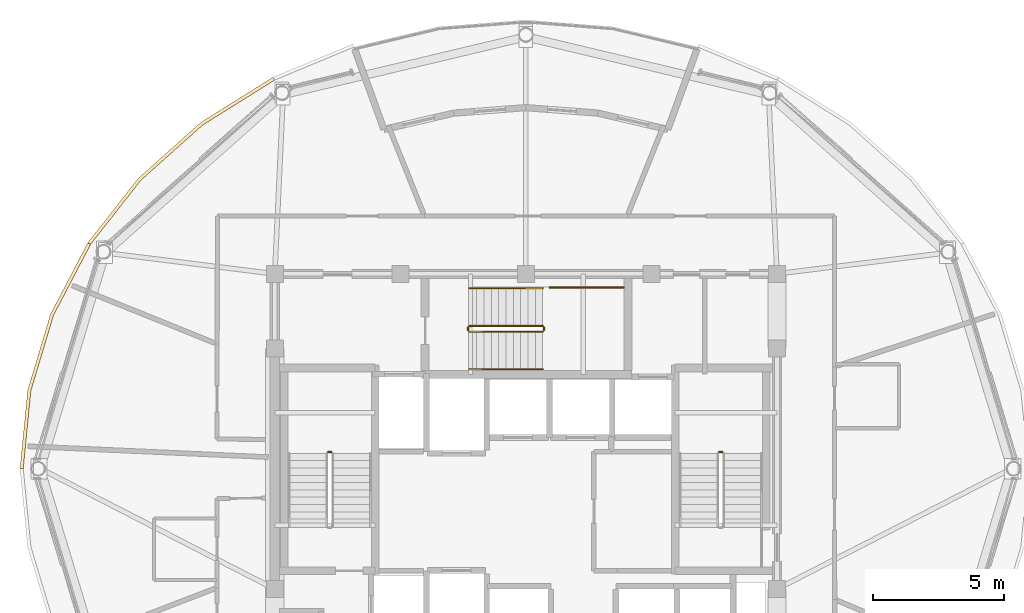
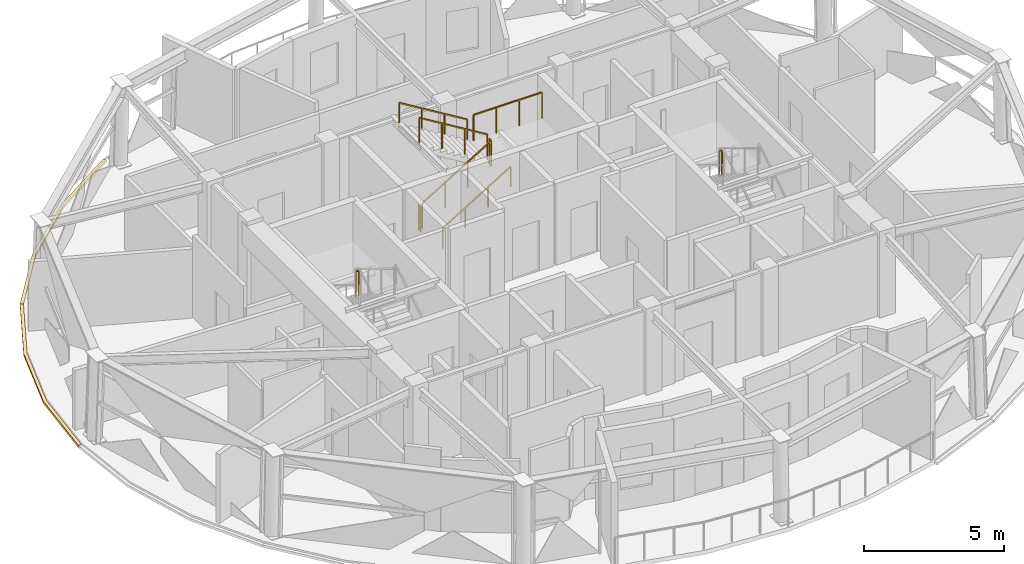
# One storey, part 12 of 13: 9 railings, 2 coverings.
"""IFC4 building model written with IfcOpenShell, lengths in metres."""

from ifc_helpers import new_model, si_unit, direction, frame, origin, origin_2d, place, context, subcontext, project, spatial, polyline, rectangle, outline, extrude, material, layer, layer_set, type_object, element, save


model = new_model("IFC4")

# Units and contexts
model_context = context("Model", 3, precision=1e-05, world=origin(), true_north=direction((0.0, 1.0)))
body_context = subcontext(model_context, "Body", "Model", "MODEL_VIEW")
ifc_project = project(units=[si_unit("LENGTHUNIT", "METRE"), si_unit("AREAUNIT", "SQUARE_METRE"), si_unit("VOLUMEUNIT", "CUBIC_METRE"), si_unit("PLANEANGLEUNIT", "RADIAN"), si_unit("MASSUNIT", "GRAM", prefix="KILO")], contexts=[model_context])

# Site, building, storey
site_placement = place(None, origin())
site = spatial("IfcSite", under=ifc_project, at=site_placement, CompositionType="ELEMENT")
building_placement = place(site_placement, origin())
building = spatial("IfcBuilding", under=site, at=building_placement, Name="Vantalir Tower", CompositionType="ELEMENT")
storey_placement = place(building_placement, frame((0.0, 0.0, 286.35009765625)))
storey = spatial("IfcBuildingStorey", under=building, at=storey_placement, Name="L72", CompositionType="ELEMENT", Elevation=286.35009765625)

# Coverings
ifc_material_1 = material(Name="Anodised champagne aluminium sill fascia", Category="aluminium")
ifc_layer = layer(ifc_material_1, 0.125)
ifc_layer_set = layer_set([ifc_layer], Name="Anodised champagne aluminium sill fascia")
covering_type = type_object("IfcCoveringType", Name="COV-SLAB-FASCIA-125", PredefinedType="CLADDING", material=ifc_layer_set)
covering_1_placement = place(storey_placement, frame((0.0, 0.0, -0.18017578125)))
element("IfcCovering", 1, at=covering_1_placement, inside=storey, type_object=covering_type, Name="L72 Perimeter Slab-Edge Sill Fascia 05", PredefinedType="CLADDING", context=body_context, shape_type="SweptSolid", body=[
    extrude(outline(polyline([(21.830078125, 39.966064453125), (19.068115234375, 38.238037109375), (16.68505859375, 36.10791015625), (14.7509765625, 33.639892578125), (14.85888671875, 33.577880859375), (16.780029296875, 36.028076171875), (19.14892578125, 38.14208984375), (21.89306640625, 39.85791015625), (21.830078125, 39.966064453125)])), origin(), (0.0, 0.0, 1.0), 0.10498046875),
])
covering_2_placement = place(storey_placement, frame((0.0, 0.0, -0.18017578125)))
element("IfcCovering", 2, at=covering_2_placement, inside=storey, type_object=covering_type, Name="L72 Perimeter Slab-Edge Sill Fascia 06", PredefinedType="CLADDING", context=body_context, shape_type="SweptSolid", body=[
    extrude(outline(polyline([(14.7509765625, 33.639892578125), (13.325927734375, 30.909912109375), (12.4541015625, 28.0009765625), (12.159912109375, 25.0), (12.284912109375, 25.0), (12.576904296875, 27.97900390625), (13.444091796875, 30.867919921875), (14.85888671875, 33.577880859375), (14.7509765625, 33.639892578125)])), origin(), (0.0, 0.0, 1.0), 0.10498046875),
])

# Railings
ifc_material_2 = material(Name="Anodised aluminium and stainless steel guard", Category="steel")
railing_type_1 = type_object("IfcRailingType", Name="RAL-GUARD-1120", PredefinedType="GUARDRAIL", material=ifc_material_2)
for number, where, name in (
    (3, (24.06005859375, 25.639892578125, 1.875), "L72 ST1 stair guard 2"),
    (4, (39.010009765625, 25.639892578125, 1.875), "L72 ST2 stair guard 2"),
):
    element("IfcRailing", number, at=place(storey_placement, frame(where)), inside=storey, type_object=railing_type_1, Name=name, PredefinedType="GUARDRAIL", context=body_context, shape_type="SweptSolid", body=[
        extrude(rectangle(XDim=0.048095703125, YDim=0.048095703125, at=origin_2d()), frame((0.0, 0.0, 1.09619140625), z_axis=(-1.0, 0.0, 0.0), x_axis=(0.0, -1.0, 0.0)), (0.0, 0.0, 1.0), 0.1201171875),
        extrude(rectangle(XDim=0.0419921875, YDim=0.0419921875, at=origin_2d()), origin(), (0.0, 0.0, 1.0), 1.072021484375),
        extrude(rectangle(XDim=0.0419921875, YDim=0.0419921875, at=origin_2d()), frame((-0.1201171875, 0.0, 0.0)), (0.0, 0.0, 1.0), 1.072021484375),
    ])
railing_1_placement = place(storey_placement, frame((29.340087890625, 30.239990234375, 0.17041015625)))
element("IfcRailing", 5, at=railing_1_placement, inside=storey, type_object=railing_type_1, Name="L72 ST3 stair guard 1", PredefinedType="GUARDRAIL", context=body_context, shape_type="SweptSolid", body=[
    extrude(rectangle(XDim=0.048095703125, YDim=0.048095703125, at=origin_2d()), frame((0.0, 0.0, 1.09619140625), z_axis=(0.854149651119, 0.0, 0.520027281489), x_axis=(0.0, 1.0, 0.0)), (0.0, 0.0, 1.0), 3.27783203125),
    extrude(rectangle(XDim=0.0419921875, YDim=0.0419921875, at=origin_2d()), origin(), (0.0, 0.0, 1.0), 1.072021484375),
    extrude(rectangle(XDim=0.0419921875, YDim=0.0419921875, at=origin_2d()), frame((0.933349609375, 0.0, 0.568115234375)), (0.0, 0.0, 1.0), 1.072021484375),
    extrude(rectangle(XDim=0.0419921875, YDim=0.0419921875, at=origin_2d()), frame((1.866455078125, 0.0, 1.136474609375)), (0.0, 0.0, 1.0), 1.072021484375),
    extrude(rectangle(XDim=0.0419921875, YDim=0.0419921875, at=origin_2d()), frame((2.7998046875, 0.0, 1.70458984375)), (0.0, 0.0, 1.0), 1.072021484375),
])
railing_2_placement = place(storey_placement, frame((32.18994140625, 30.2900390625, 1.875)))
element("IfcRailing", 6, at=railing_2_placement, inside=storey, type_object=railing_type_1, Name="L72 ST3 stair guard 2", PredefinedType="GUARDRAIL", context=body_context, shape_type="SweptSolid", body=[
    extrude(rectangle(XDim=0.048095703125, YDim=0.048095703125, at=origin_2d()), frame((0.0, 0.0, 1.09619140625), z_axis=(0.0, 1.0, 0.0), x_axis=(-1.0, 0.0, 0.0)), (0.0, 0.0, 1.0), 0.119873046875),
    extrude(rectangle(XDim=0.0419921875, YDim=0.0419921875, at=origin_2d()), origin(), (0.0, 0.0, 1.0), 1.072021484375),
    extrude(rectangle(XDim=0.0419921875, YDim=0.0419921875, at=origin_2d()), frame((0.0, 0.119873046875, 0.0)), (0.0, 0.0, 1.0), 1.072021484375),
])
railing_3_placement = place(storey_placement, frame((32.139892578125, 30.4599609375, 2.04541015625)))
element("IfcRailing", 7, at=railing_3_placement, inside=storey, type_object=railing_type_1, Name="L72 ST3 stair guard 3", PredefinedType="GUARDRAIL", context=body_context, shape_type="SweptSolid", body=[
    extrude(rectangle(XDim=0.048095703125, YDim=0.048095703125, at=origin_2d()), frame((0.0, 0.0, 1.09619140625), z_axis=(-0.854149651119, 0.0, 0.520027281489), x_axis=(0.0, -1.0, 0.0)), (0.0, 0.0, 1.0), 3.27783203125),
    extrude(rectangle(XDim=0.0419921875, YDim=0.0419921875, at=origin_2d()), origin(), (0.0, 0.0, 1.0), 1.072021484375),
    extrude(rectangle(XDim=0.0419921875, YDim=0.0419921875, at=origin_2d()), frame((-0.933349609375, 0.0, 0.568115234375)), (0.0, 0.0, 1.0), 1.072021484375),
    extrude(rectangle(XDim=0.0419921875, YDim=0.0419921875, at=origin_2d()), frame((-1.866455078125, 0.0, 1.136474609375)), (0.0, 0.0, 1.0), 1.072021484375),
    extrude(rectangle(XDim=0.0419921875, YDim=0.0419921875, at=origin_2d()), frame((-2.7998046875, 0.0, 1.70458984375)), (0.0, 0.0, 1.0), 1.072021484375),
])
railing_4_placement = place(storey_placement, frame((29.2900390625, 30.2900390625, 0.0)))
element("IfcRailing", 8, at=railing_4_placement, inside=storey, type_object=railing_type_1, Name="L72 ST3 stair guard 4", PredefinedType="GUARDRAIL", context=body_context, shape_type="SweptSolid", body=[
    extrude(rectangle(XDim=0.048095703125, YDim=0.048095703125, at=origin_2d()), frame((0.0, 0.0, 1.09619140625), z_axis=(0.0, 1.0, 0.0), x_axis=(-1.0, 0.0, 0.0)), (0.0, 0.0, 1.0), 0.119873046875),
    extrude(rectangle(XDim=0.0419921875, YDim=0.0419921875, at=origin_2d()), origin(), (0.0, 0.0, 1.0), 1.072021484375),
    extrude(rectangle(XDim=0.0419921875, YDim=0.0419921875, at=origin_2d()), frame((0.0, 0.119873046875, 0.0)), (0.0, 0.0, 1.0), 1.072021484375),
])
railing_5_placement = place(storey_placement, frame((32.419921875, 31.929931640625, 1.875)))
element("IfcRailing", 9, at=railing_5_placement, inside=storey, type_object=railing_type_1, Name="L72 Stair ST3 Half-Landing Slot Guard", PredefinedType="GUARDRAIL", context=body_context, shape_type="SweptSolid", body=[
    extrude(rectangle(XDim=0.048095703125, YDim=0.048095703125, at=origin_2d()), frame((0.0, 0.0, 1.1259765625), z_axis=(1.0, 0.0, 0.0), x_axis=(0.0, 1.0, 0.0)), (0.0, 0.0, 1.0), 2.820068359375),
    extrude(rectangle(XDim=0.0419921875, YDim=0.0419921875, at=origin_2d()), origin(), (0.0, 0.0, 1.0), 1.101806640625),
    extrude(rectangle(XDim=0.0419921875, YDim=0.0419921875, at=origin_2d()), frame((0.93994140625, 0.0, 0.0)), (0.0, 0.0, 1.0), 1.101806640625),
    extrude(rectangle(XDim=0.0419921875, YDim=0.0419921875, at=origin_2d()), frame((1.880126953125, 0.0, 0.0)), (0.0, 0.0, 1.0), 1.101806640625),
    extrude(rectangle(XDim=0.0419921875, YDim=0.0419921875, at=origin_2d()), frame((2.820068359375, 0.0, 0.0)), (0.0, 0.0, 1.0), 1.101806640625),
])
ifc_material_3 = material(Name="Brushed stainless steel tubular handrail", Category="steel")
railing_type_2 = type_object("IfcRailingType", Name="RAL-HANDRAIL-900", PredefinedType="HANDRAIL", material=ifc_material_3)
railing_6_placement = place(storey_placement, frame((29.340087890625, 28.800048828125, 0.17041015625)))
element("IfcRailing", 10, at=railing_6_placement, inside=storey, type_object=railing_type_2, Name="L72 ST3 stair handrail 1", PredefinedType="HANDRAIL", context=body_context, shape_type="SweptSolid", body=[
    extrude(rectangle(XDim=0.048095703125, YDim=0.048095703125, at=origin_2d()), frame((0.0, 0.0, 0.8759765625), z_axis=(0.854149651119, 0.0, 0.520027281489), x_axis=(0.0, 1.0, 0.0)), (0.0, 0.0, 1.0), 3.27783203125),
    extrude(rectangle(XDim=0.0419921875, YDim=0.0419921875, at=origin_2d()), origin(), (0.0, 0.0, 1.0), 0.851806640625),
    extrude(rectangle(XDim=0.0419921875, YDim=0.0419921875, at=origin_2d()), frame((0.933349609375, 0.0, 0.568115234375)), (0.0, 0.0, 1.0), 0.851806640625),
    extrude(rectangle(XDim=0.0419921875, YDim=0.0419921875, at=origin_2d()), frame((1.866455078125, 0.0, 1.136474609375)), (0.0, 0.0, 1.0), 0.851806640625),
    extrude(rectangle(XDim=0.0419921875, YDim=0.0419921875, at=origin_2d()), frame((2.7998046875, 0.0, 1.70458984375)), (0.0, 0.0, 1.0), 0.851806640625),
])
railing_7_placement = place(storey_placement, frame((32.139892578125, 31.89990234375, 2.04541015625)))
element("IfcRailing", 11, at=railing_7_placement, inside=storey, type_object=railing_type_2, Name="L72 ST3 stair handrail 2", PredefinedType="HANDRAIL", context=body_context, shape_type="SweptSolid", body=[
    extrude(rectangle(XDim=0.048095703125, YDim=0.048095703125, at=origin_2d()), frame((0.0, 0.0, 0.8759765625), z_axis=(-0.854149651119, 0.0, 0.520027281489), x_axis=(0.0, -1.0, 0.0)), (0.0, 0.0, 1.0), 3.27783203125),
    extrude(rectangle(XDim=0.0419921875, YDim=0.0419921875, at=origin_2d()), origin(), (0.0, 0.0, 1.0), 0.851806640625),
    extrude(rectangle(XDim=0.0419921875, YDim=0.0419921875, at=origin_2d()), frame((-0.933349609375, 0.0, 0.568115234375)), (0.0, 0.0, 1.0), 0.851806640625),
    extrude(rectangle(XDim=0.0419921875, YDim=0.0419921875, at=origin_2d()), frame((-1.866455078125, 0.0, 1.136474609375)), (0.0, 0.0, 1.0), 0.851806640625),
    extrude(rectangle(XDim=0.0419921875, YDim=0.0419921875, at=origin_2d()), frame((-2.7998046875, 0.0, 1.70458984375)), (0.0, 0.0, 1.0), 0.851806640625),
])

save(model, "model.ifc")
